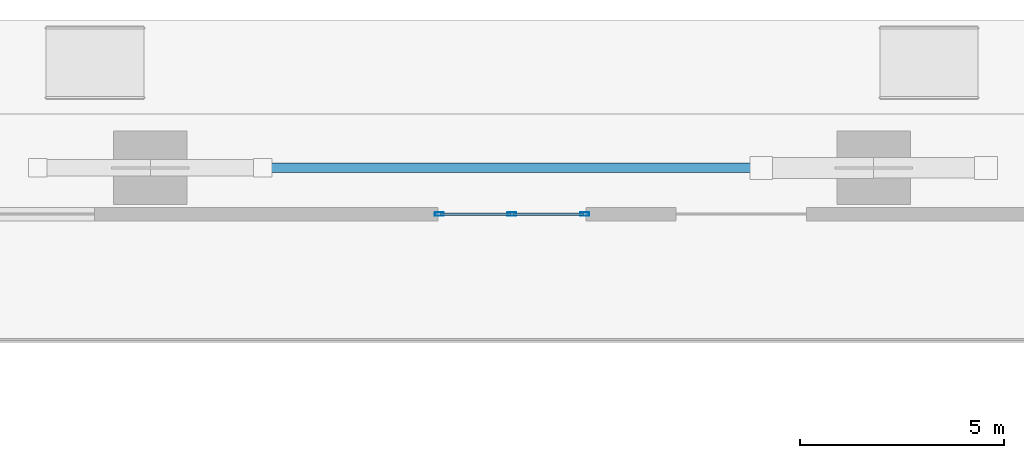
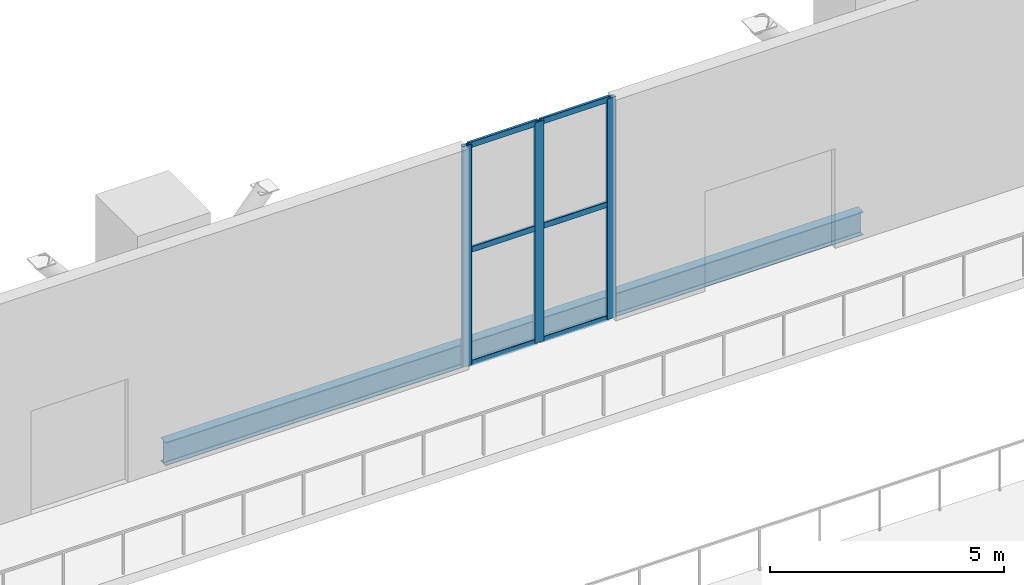
# One storey, part 12 of 22: 9 members, 1 beam, 1 element without a shape of its own.
"""IFC4 building model written with IfcOpenShell, lengths in metres."""

from ifc_helpers import new_model, si_unit, direction, frame, origin, origin_2d, place, context, subcontext, project, spatial, hollow_rectangle, i_section, extrude, material, layer, layer_set, material_profile, profile_set, type_object, element, aggregate, save


model = new_model("IFC4")

# Units and contexts
model_context = context("Model", 3, precision=1e-05, world=origin(), true_north=direction((0.0, 1.0)))
body_context = subcontext(model_context, "Body", "Model", "MODEL_VIEW")
ifc_project = project(units=[si_unit("LENGTHUNIT", "METRE"), si_unit("AREAUNIT", "SQUARE_METRE"), si_unit("VOLUMEUNIT", "CUBIC_METRE"), si_unit("PLANEANGLEUNIT", "RADIAN"), si_unit("MASSUNIT", "GRAM", prefix="KILO")], contexts=[model_context])

# Site, building, storey
site_placement = place(None, origin())
site = spatial("IfcSite", under=ifc_project, at=site_placement, CompositionType="ELEMENT")
building_placement = place(site_placement, origin())
building = spatial("IfcBuilding", under=site, at=building_placement, Name="Cinnabar Lancet Tower", CompositionType="ELEMENT")
storey_placement = place(building_placement, origin())
storey = spatial("IfcBuildingStorey", under=building, at=storey_placement, Name="L00", CompositionType="ELEMENT", Elevation=0.0)

# Curtain wall, members
ifc_material_1 = material(Name="Thermally broken bronze-anodized aluminium and low-E glass", Category="aluminium")
ifc_layer = layer(ifc_material_1, 0.179931640625)
ifc_layer_set = layer_set([ifc_layer], Name="Thermally broken bronze-anodized aluminium and low-E glass")
curtain_wall_type = type_object("IfcCurtainWallType", Name="ENV-CW-SYS-01", PredefinedType="NOTDEFINED", material=ifc_layer_set)
curtain_wall_placement = place(storey_placement, origin())
curtain_wall = element("IfcCurtainWall", 1, at=curtain_wall_placement, inside=storey, type_object=curtain_wall_type, Name="L00 Face 4 Lobby Curtain Wall", PredefinedType="NOTDEFINED")
ifc_material_2 = material(Name="Anodized architectural aluminium 6063-T6", Category="aluminium")
ifc_material_profile_1 = material_profile(ifc_material_2, hollow_rectangle(XDim=0.0849609375, YDim=0.219970703125, WallThickness=0.0048828125, InnerFilletRadius=0.00244140625, OuterFilletRadius=0.007568359375, at=origin_2d()), Name="CW-MUL 220x85x5")
ifc_profile_set_1 = profile_set([ifc_material_profile_1], Name="Anodized architectural aluminium 6063-T6")
member_type_1 = type_object("IfcMemberType", Name="ENV-CW-MUL-220", PredefinedType="MULLION", material=ifc_profile_set_1)
member_1_placement = place(storey_placement, frame((30.623046875, 49.14990234375, 0.0), z_axis=(0.0, 0.0, 1.0), x_axis=(0.0, 1.0, 0.0)))
member_1 = element("IfcMember", 2, at=member_1_placement, type_object=member_type_1, Name="CW-01 mullion 1", PredefinedType="MULLION", context=body_context, shape_type="SweptSolid", body=[
    extrude(hollow_rectangle(XDim=0.0849609375, YDim=0.219970703125, WallThickness=0.0048828125, InnerFilletRadius=0.00244140625, OuterFilletRadius=0.007568359375, at=origin_2d()), origin(), (0.0, 0.0, 1.0), 5.75),
])
member_2_placement = place(storey_placement, frame((32.39990234375, 49.14990234375, 0.0), z_axis=(0.0, 0.0, 1.0), x_axis=(0.0, 1.0, 0.0)))
member_2 = element("IfcMember", 3, at=member_2_placement, type_object=member_type_1, Name="CW-01 mullion 2", PredefinedType="MULLION", context=body_context, shape_type="SweptSolid", body=[
    extrude(hollow_rectangle(XDim=0.0849609375, YDim=0.219970703125, WallThickness=0.0048828125, InnerFilletRadius=0.00244140625, OuterFilletRadius=0.007568359375, at=origin_2d()), origin(), (0.0, 0.0, 1.0), 5.75),
])
member_3_placement = place(storey_placement, frame((34.177001953125, 49.14990234375, 0.0), z_axis=(0.0, 0.0, 1.0), x_axis=(0.0, 1.0, 0.0)))
member_3 = element("IfcMember", 4, at=member_3_placement, type_object=member_type_1, Name="CW-01 mullion 3", PredefinedType="MULLION", context=body_context, shape_type="SweptSolid", body=[
    extrude(hollow_rectangle(XDim=0.0849609375, YDim=0.219970703125, WallThickness=0.0048828125, InnerFilletRadius=0.00244140625, OuterFilletRadius=0.007568359375, at=origin_2d()), origin(), (0.0, 0.0, 1.0), 5.75),
])
ifc_material_3 = material(Name="Anodized architectural aluminium 6063-T6", Category="aluminium")
ifc_material_profile_2 = material_profile(ifc_material_3, hollow_rectangle(XDim=0.06494140625, YDim=0.14990234375, WallThickness=0.00390625, InnerFilletRadius=0.001953125, OuterFilletRadius=0.006103515625, at=origin_2d()), Name="CW-TRN 150x65x4")
ifc_profile_set_2 = profile_set([ifc_material_profile_2], Name="Anodized architectural aluminium 6063-T6")
member_type_2 = type_object("IfcMemberType", Name="ENV-CW-TRN-160", PredefinedType="USERDEFINED", material=ifc_profile_set_2)
member_4_placement = place(storey_placement, frame((30.653076171875, 49.14990234375, 0.030029296875), z_axis=(1.0, 0.0, 0.0), x_axis=(0.0, 1.0, 0.0)))
member_4 = element("IfcMember", 5, at=member_4_placement, type_object=member_type_2, Name="CW-01 transom 1.1", ObjectType="TRANSOM", PredefinedType="USERDEFINED", context=body_context, shape_type="SweptSolid", body=[
    extrude(hollow_rectangle(XDim=0.06494140625, YDim=0.14990234375, WallThickness=0.00390625, InnerFilletRadius=0.001953125, OuterFilletRadius=0.006103515625, at=origin_2d()), origin(), (0.0, 0.0, 1.0), 1.717041015625),
])
member_5_placement = place(storey_placement, frame((30.653076171875, 49.14990234375, 2.989990234375), z_axis=(1.0, 0.0, 0.0), x_axis=(0.0, 1.0, 0.0)))
member_5 = element("IfcMember", 6, at=member_5_placement, type_object=member_type_2, Name="CW-01 transom 1.2", ObjectType="TRANSOM", PredefinedType="USERDEFINED", context=body_context, shape_type="SweptSolid", body=[
    extrude(hollow_rectangle(XDim=0.06494140625, YDim=0.14990234375, WallThickness=0.00390625, InnerFilletRadius=0.001953125, OuterFilletRadius=0.006103515625, at=origin_2d()), origin(), (0.0, 0.0, 1.0), 1.717041015625),
])
member_6_placement = place(storey_placement, frame((30.653076171875, 49.14990234375, 5.719970703125), z_axis=(1.0, 0.0, 0.0), x_axis=(0.0, 1.0, 0.0)))
member_6 = element("IfcMember", 7, at=member_6_placement, type_object=member_type_2, Name="CW-01 transom 1.3", ObjectType="TRANSOM", PredefinedType="USERDEFINED", context=body_context, shape_type="SweptSolid", body=[
    extrude(hollow_rectangle(XDim=0.06494140625, YDim=0.14990234375, WallThickness=0.00390625, InnerFilletRadius=0.001953125, OuterFilletRadius=0.006103515625, at=origin_2d()), origin(), (0.0, 0.0, 1.0), 1.717041015625),
])
member_7_placement = place(storey_placement, frame((32.429931640625, 49.14990234375, 0.030029296875), z_axis=(1.0, 0.0, 0.0), x_axis=(0.0, 1.0, 0.0)))
member_7 = element("IfcMember", 8, at=member_7_placement, type_object=member_type_2, Name="CW-01 transom 2.1", ObjectType="TRANSOM", PredefinedType="USERDEFINED", context=body_context, shape_type="SweptSolid", body=[
    extrude(hollow_rectangle(XDim=0.06494140625, YDim=0.14990234375, WallThickness=0.00390625, InnerFilletRadius=0.001953125, OuterFilletRadius=0.006103515625, at=origin_2d()), origin(), (0.0, 0.0, 1.0), 1.717041015625),
])
member_8_placement = place(storey_placement, frame((32.429931640625, 49.14990234375, 2.989990234375), z_axis=(1.0, 0.0, 0.0), x_axis=(0.0, 1.0, 0.0)))
member_8 = element("IfcMember", 9, at=member_8_placement, type_object=member_type_2, Name="CW-01 transom 2.2", ObjectType="TRANSOM", PredefinedType="USERDEFINED", context=body_context, shape_type="SweptSolid", body=[
    extrude(hollow_rectangle(XDim=0.06494140625, YDim=0.14990234375, WallThickness=0.00390625, InnerFilletRadius=0.001953125, OuterFilletRadius=0.006103515625, at=origin_2d()), origin(), (0.0, 0.0, 1.0), 1.717041015625),
])
member_9_placement = place(storey_placement, frame((32.429931640625, 49.14990234375, 5.719970703125), z_axis=(1.0, 0.0, 0.0), x_axis=(0.0, 1.0, 0.0)))
member_9 = element("IfcMember", 10, at=member_9_placement, type_object=member_type_2, Name="CW-01 transom 2.3", ObjectType="TRANSOM", PredefinedType="USERDEFINED", context=body_context, shape_type="SweptSolid", body=[
    extrude(hollow_rectangle(XDim=0.06494140625, YDim=0.14990234375, WallThickness=0.00390625, InnerFilletRadius=0.001953125, OuterFilletRadius=0.006103515625, at=origin_2d()), origin(), (0.0, 0.0, 1.0), 1.717041015625),
])
aggregate(curtain_wall, [member_1, member_2, member_3, member_4, member_5, member_6, member_7, member_8, member_9])

# Beam
ifc_material_4 = material(Name="Structural steel S355", Category="steel")
ifc_material_profile_3 = material_profile(ifc_material_4, i_section(OverallWidth=0.228271484375, OverallDepth=0.607666015625, WebThickness=0.010986328125, FlangeThickness=0.017333984375, FilletRadius=0.0126953125, at=origin_2d()), Name="UKB 610x229x113")
ifc_profile_set_3 = profile_set([ifc_material_profile_3], Name="Structural steel S355")
beam_type = type_object("IfcBeamType", Name="STR-BM-SPN-610", PredefinedType="SPANDREL", material=ifc_profile_set_3)
beam_placement = place(storey_placement, frame((40.9951171875, 50.282958984375, -0.553955078125), z_axis=(-1.0, 0.0, 0.0), x_axis=(0.0, -1.0, 0.0)))
element("IfcBeam", 11, at=beam_placement, inside=storey, type_object=beam_type, Name="L00 Perimeter Spandrel 7", PredefinedType="SPANDREL", context=body_context, shape_type="SweptSolid", body=[
    extrude(i_section(OverallWidth=0.228271484375, OverallDepth=0.607666015625, WebThickness=0.010986328125, FlangeThickness=0.017333984375, FilletRadius=0.0126953125, at=origin_2d()), origin(), (0.0, 0.0, 1.0), 17.190185546875),
])

save(model, "model.ifc")
